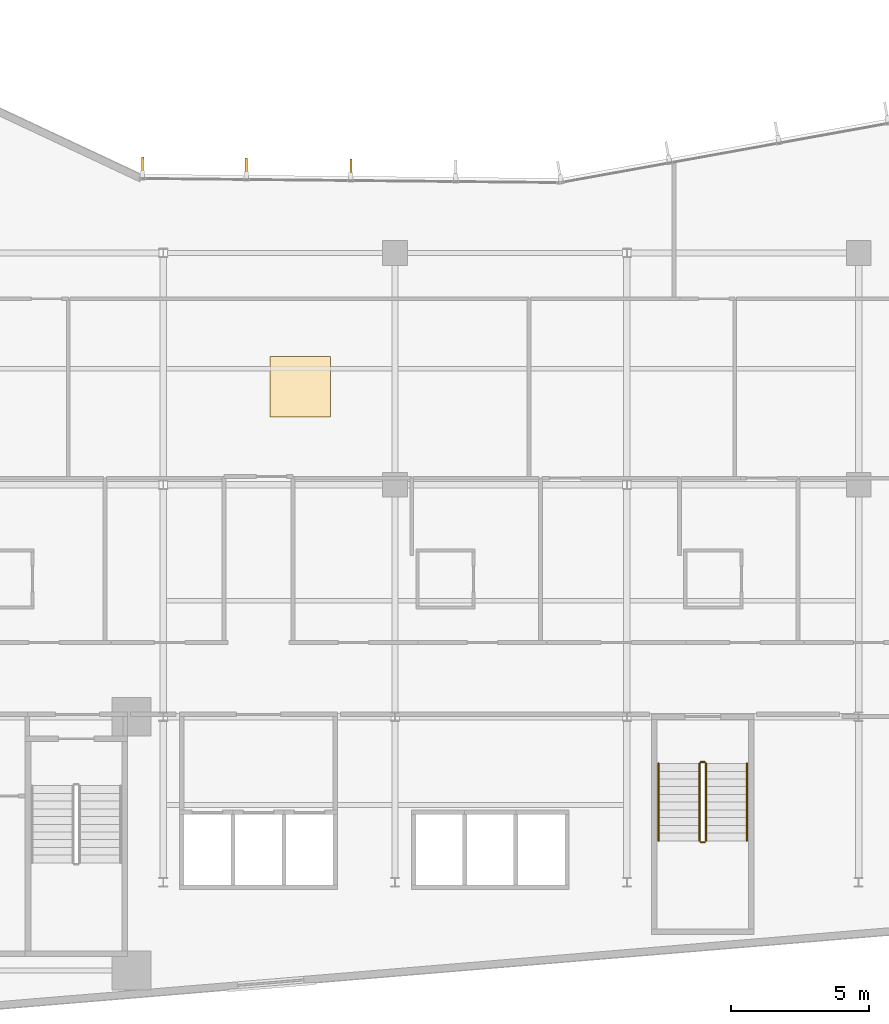
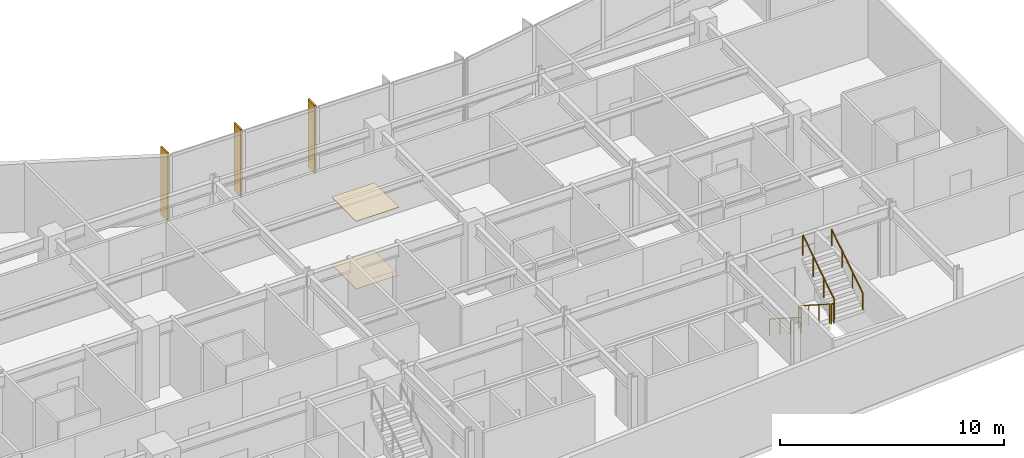
# One storey, part 16 of 19: 6 railings, 3 shading devices, 2 coverings.
"""IFC4 building model written with IfcOpenShell, lengths in metres."""

from ifc_helpers import new_model, si_unit, direction, frame, origin, origin_2d, place, context, subcontext, project, spatial, rectangle, circle, extrude, material, layer, layer_set, type_object, element, save


model = new_model("IFC4")

# Units and contexts
model_context = context("Model", 3, precision=1e-05, world=origin(), true_north=direction((0.0, 1.0)))
body_context = subcontext(model_context, "Body", "Model", "MODEL_VIEW")
ifc_project = project(units=[si_unit("LENGTHUNIT", "METRE"), si_unit("AREAUNIT", "SQUARE_METRE"), si_unit("VOLUMEUNIT", "CUBIC_METRE"), si_unit("PLANEANGLEUNIT", "RADIAN"), si_unit("MASSUNIT", "GRAM", prefix="KILO")], contexts=[model_context])

# Site, building, storey
site_placement = place(None, origin())
site = spatial("IfcSite", under=ifc_project, at=site_placement, CompositionType="ELEMENT")
building_placement = place(site_placement, origin())
building = spatial("IfcBuilding", under=site, at=building_placement, Name="Varnakote Quay Hospital", CompositionType="ELEMENT")
storey_placement = place(building_placement, frame((0.0, 0.0, 89.64990234375)))
storey = spatial("IfcBuildingStorey", under=building, at=storey_placement, Name="L22", CompositionType="ELEMENT", Elevation=89.64990234375)

# Coverings
ifc_material_1 = material(Name="Antimicrobial acoustic mineral ceiling tile", Category="gypsum")
ifc_layer_1 = layer(ifc_material_1, 0.02490234375)
ifc_layer_set_1 = layer_set([ifc_layer_1], Name="Antimicrobial acoustic mineral ceiling tile")
covering_type_1 = type_object("IfcCoveringType", Name="COV-CLIN-CEIL-25", PredefinedType="CEILING", material=ifc_layer_set_1)
covering_1_placement = place(storey_placement, frame((30.1650390625, 23.949951171875, 3.68505859375), z_axis=(0.0, 0.0, 1.0), x_axis=(1.0, 0.0, 0.0)))
element("IfcCovering", 1, at=covering_1_placement, inside=storey, type_object=covering_type_1, Name="L22 Antimicrobial Acoustic Ceiling Tile", PredefinedType="CEILING", context=body_context, shape_type="SweptSolid", body=[
    extrude(rectangle(XDim=2.199951171875, YDim=2.199951171875, at=origin_2d()), origin(), (0.0, 0.0, 1.0), 0.02490234375),
])
ifc_material_2 = material(Name="Seamless clinical sheet vinyl flooring")
ifc_layer_2 = layer(ifc_material_2, 0.011962890625)
ifc_layer_set_2 = layer_set([ifc_layer_2], Name="Seamless clinical sheet vinyl flooring")
covering_type_2 = type_object("IfcCoveringType", Name="COV-CLIN-VINYL-12", PredefinedType="FLOORING", material=ifc_layer_set_2)
covering_2_placement = place(storey_placement, frame((30.1650390625, 23.949951171875, 0.0), z_axis=(0.0, 0.0, 1.0), x_axis=(1.0, 0.0, 0.0)))
element("IfcCovering", 2, at=covering_2_placement, inside=storey, type_object=covering_type_2, Name="L22 Seamless Clinical Vinyl Flooring", PredefinedType="FLOORING", context=body_context, shape_type="SweptSolid", body=[
    extrude(rectangle(XDim=2.199951171875, YDim=2.199951171875, at=origin_2d()), origin(), (0.0, 0.0, 1.0), 0.011962890625),
])

# Railings
ifc_material_3 = material(Name="Brushed stainless steel balustrade", Category="steel")
railing_type_1 = type_object("IfcRailingType", Name="RLG-STAIR-GUARD-1150", PredefinedType="GUARDRAIL", material=ifc_material_3)
railing_1_placement = place(storey_placement, frame((44.6298828125, 10.300048828125, 0.1796875)))
element("IfcRailing", 3, at=railing_1_placement, inside=storey, type_object=railing_type_1, Name="L22 ST-03 stair guard 1", PredefinedType="GUARDRAIL", context=body_context, shape_type="SweptSolid", body=[
    extrude(circle(Radius=0.02392578125, at=origin_2d()), frame((0.0, 0.0, 1.076171875), z_axis=(0.0, -0.841809871826, 0.539774156196), x_axis=(1.0, 0.0, 0.0)), (0.0, 0.0, 1.0), 3.326171875),
    extrude(circle(Radius=0.02099609375, at=origin_2d()), origin(), (0.0, 0.0, 1.0), 1.052001953125),
    extrude(circle(Radius=0.02099609375, at=origin_2d()), frame((0.0, -0.933349609375, 0.598388671875)), (0.0, 0.0, 1.0), 1.052001953125),
    extrude(circle(Radius=0.02099609375, at=origin_2d()), frame((0.0, -1.86669921875, 1.197021484375)), (0.0, 0.0, 1.0), 1.052001953125),
    extrude(circle(Radius=0.02099609375, at=origin_2d()), frame((0.0, -2.800048828125, 1.79541015625)), (0.0, 0.0, 1.0), 1.052001953125),
])
railing_2_placement = place(storey_placement, frame((44.679931640625, 7.449951171875, 1.97509765625)))
element("IfcRailing", 4, at=railing_2_placement, inside=storey, type_object=railing_type_1, Name="L22 ST-03 stair guard 2", PredefinedType="GUARDRAIL", context=body_context, shape_type="SweptSolid", body=[
    extrude(circle(Radius=0.02392578125, at=origin_2d()), frame((0.0, 0.0, 1.076171875), z_axis=(1.0, 0.0, 0.0), x_axis=(0.0, 1.0, 0.0)), (0.0, 0.0, 1.0), 0.14013671875),
    extrude(circle(Radius=0.02099609375, at=origin_2d()), origin(), (0.0, 0.0, 1.0), 1.052001953125),
    extrude(circle(Radius=0.02099609375, at=origin_2d()), frame((0.14013671875, 0.0, 0.0)), (0.0, 0.0, 1.0), 1.052001953125),
])
railing_3_placement = place(storey_placement, frame((44.8701171875, 7.5, 2.154541015625)))
element("IfcRailing", 5, at=railing_3_placement, inside=storey, type_object=railing_type_1, Name="L22 ST-03 stair guard 3", PredefinedType="GUARDRAIL", context=body_context, shape_type="SweptSolid", body=[
    extrude(circle(Radius=0.02392578125, at=origin_2d()), frame((0.0, 0.0, 1.076171875), z_axis=(0.0, 0.841776520102, 0.539826166654), x_axis=(-1.0, 0.0, 0.0)), (0.0, 0.0, 1.0), 3.326416015625),
    extrude(circle(Radius=0.02099609375, at=origin_2d()), origin(), (0.0, 0.0, 1.0), 1.052001953125),
    extrude(circle(Radius=0.02099609375, at=origin_2d()), frame((0.0, 0.933349609375, 0.5986328125)), (0.0, 0.0, 1.0), 1.052001953125),
    extrude(circle(Radius=0.02099609375, at=origin_2d()), frame((0.0, 1.86669921875, 1.197021484375)), (0.0, 0.0, 1.0), 1.052001953125),
    extrude(circle(Radius=0.02099609375, at=origin_2d()), frame((0.0, 2.800048828125, 1.795654296875)), (0.0, 0.0, 1.0), 1.052001953125),
])
railing_4_placement = place(storey_placement, frame((44.679931640625, 10.35009765625, 0.0)))
element("IfcRailing", 6, at=railing_4_placement, inside=storey, type_object=railing_type_1, Name="L22 ST-03 stair guard 4", PredefinedType="GUARDRAIL", context=body_context, shape_type="SweptSolid", body=[
    extrude(circle(Radius=0.02392578125, at=origin_2d()), frame((0.0, 0.0, 1.076171875), z_axis=(1.0, 0.0, 0.0), x_axis=(0.0, 1.0, 0.0)), (0.0, 0.0, 1.0), 0.14013671875),
    extrude(circle(Radius=0.02099609375, at=origin_2d()), origin(), (0.0, 0.0, 1.0), 1.052001953125),
    extrude(circle(Radius=0.02099609375, at=origin_2d()), frame((0.14013671875, 0.0, 0.0)), (0.0, 0.0, 1.0), 1.052001953125),
])
ifc_material_4 = material(Name="Brushed stainless steel handrail", Category="steel")
railing_type_2 = type_object("IfcRailingType", Name="RLG-STAIR-HND-920", PredefinedType="HANDRAIL", material=ifc_material_4)
railing_5_placement = place(storey_placement, frame((43.14990234375, 10.300048828125, 0.1796875)))
element("IfcRailing", 7, at=railing_5_placement, inside=storey, type_object=railing_type_2, Name="L22 ST-03 stair handrail 1", PredefinedType="HANDRAIL", context=body_context, shape_type="SweptSolid", body=[
    extrude(circle(Radius=0.02392578125, at=origin_2d()), frame((0.0, 0.0, 0.8759765625), z_axis=(0.0, -0.841809871826, 0.539774156196), x_axis=(1.0, 0.0, 0.0)), (0.0, 0.0, 1.0), 3.326171875),
    extrude(circle(Radius=0.02099609375, at=origin_2d()), origin(), (0.0, 0.0, 1.0), 0.851806640625),
    extrude(circle(Radius=0.02099609375, at=origin_2d()), frame((0.0, -0.933349609375, 0.598388671875)), (0.0, 0.0, 1.0), 0.851806640625),
    extrude(circle(Radius=0.02099609375, at=origin_2d()), frame((0.0, -1.86669921875, 1.197021484375)), (0.0, 0.0, 1.0), 0.851806640625),
    extrude(circle(Radius=0.02099609375, at=origin_2d()), frame((0.0, -2.800048828125, 1.79541015625)), (0.0, 0.0, 1.0), 0.851806640625),
])
railing_6_placement = place(storey_placement, frame((46.35009765625, 7.5, 2.154541015625)))
element("IfcRailing", 8, at=railing_6_placement, inside=storey, type_object=railing_type_2, Name="L22 ST-03 stair handrail 2", PredefinedType="HANDRAIL", context=body_context, shape_type="SweptSolid", body=[
    extrude(circle(Radius=0.02392578125, at=origin_2d()), frame((0.0, 0.0, 0.8759765625), z_axis=(0.0, 0.841776520102, 0.539826166654), x_axis=(-1.0, 0.0, 0.0)), (0.0, 0.0, 1.0), 3.326416015625),
    extrude(circle(Radius=0.02099609375, at=origin_2d()), origin(), (0.0, 0.0, 1.0), 0.851806640625),
    extrude(circle(Radius=0.02099609375, at=origin_2d()), frame((0.0, 0.933349609375, 0.5986328125)), (0.0, 0.0, 1.0), 0.851806640625),
    extrude(circle(Radius=0.02099609375, at=origin_2d()), frame((0.0, 1.86669921875, 1.197021484375)), (0.0, 0.0, 1.0), 0.851806640625),
    extrude(circle(Radius=0.02099609375, at=origin_2d()), frame((0.0, 2.800048828125, 1.795654296875)), (0.0, 0.0, 1.0), 0.851806640625),
])

# Shading devices
ifc_material_5 = material(Name="Anodised aluminium 6063-T6 Bronze", Category="aluminium")
ifc_layer_3 = layer(ifc_material_5, 0.0849609375)
ifc_layer_set_3 = layer_set([ifc_layer_3], Name="Anodised aluminium 6063-T6 Bronze")
shading_device_type = type_object("IfcShadingDeviceType", Name="SHD-BRONZE-FIN-620", PredefinedType="USERDEFINED", material=ifc_layer_set_3)
for number, where, z_axis, x_axis, name in (
    (9, (32.003173828125, 31.88818359375, 0.0), (0.0, 0.0, 1.0), (-0.009773688199, -0.999952236369, 0.0), "L22 Anodised Bronze Vertical Shading FIN"),
    (10, (28.207763671875, 31.92529296875, 0.0), (0.0, 0.0, 1.0), (-0.009773688199, -0.999952236369, 0.0), "L22 Anodised Bronze Vertical Shading FIN"),
    (11, (24.44970703125, 31.9619140625, 0.0), (0.0, 0.0, 1.0), (-0.009773688199, -0.999952236369, 0.0), "L22 Anodised Bronze Vertical Shading FIN"),
):
    element("IfcShadingDevice", number, at=place(storey_placement, frame(where, z_axis=z_axis, x_axis=x_axis)), inside=storey, type_object=shading_device_type, Name=name, ObjectType="FIN", PredefinedType="USERDEFINED", context=body_context, shape_type="SweptSolid", body=[
        extrude(rectangle(XDim=0.6201171875, YDim=0.0849609375, at=origin_2d()), origin(), (0.0, 0.0, 1.0), 3.7099609375),
    ])

save(model, "model.ifc")
